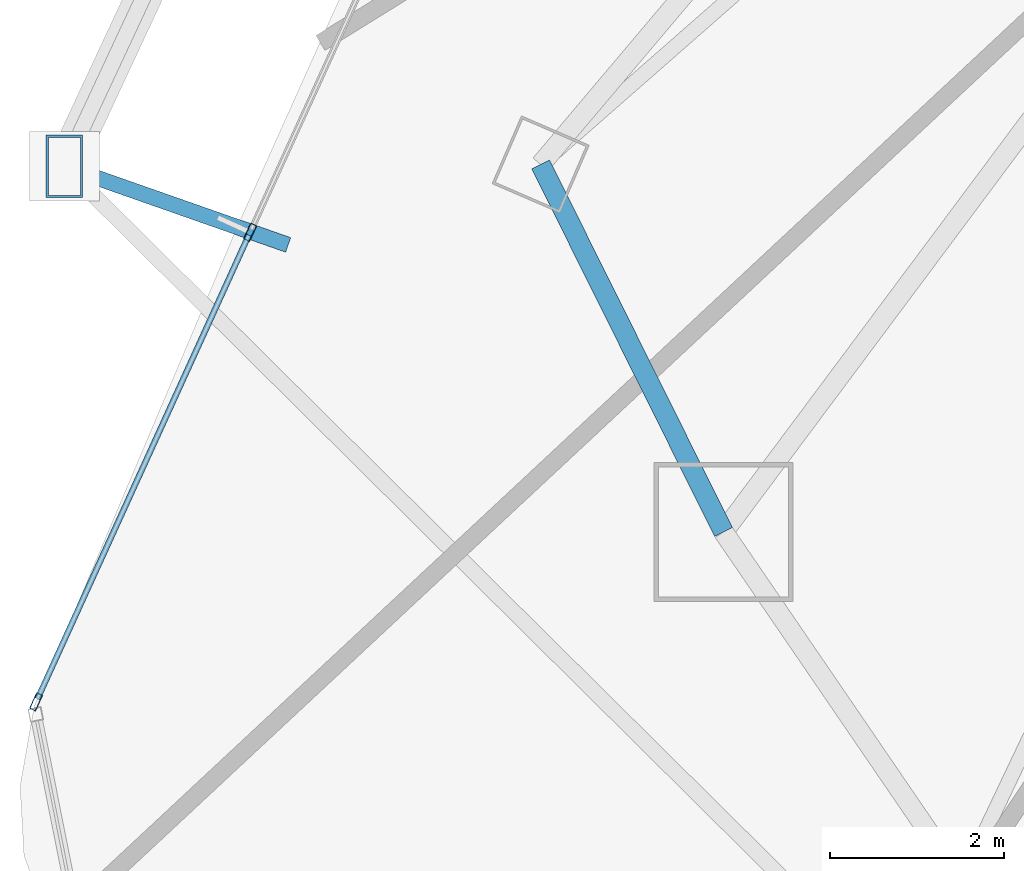
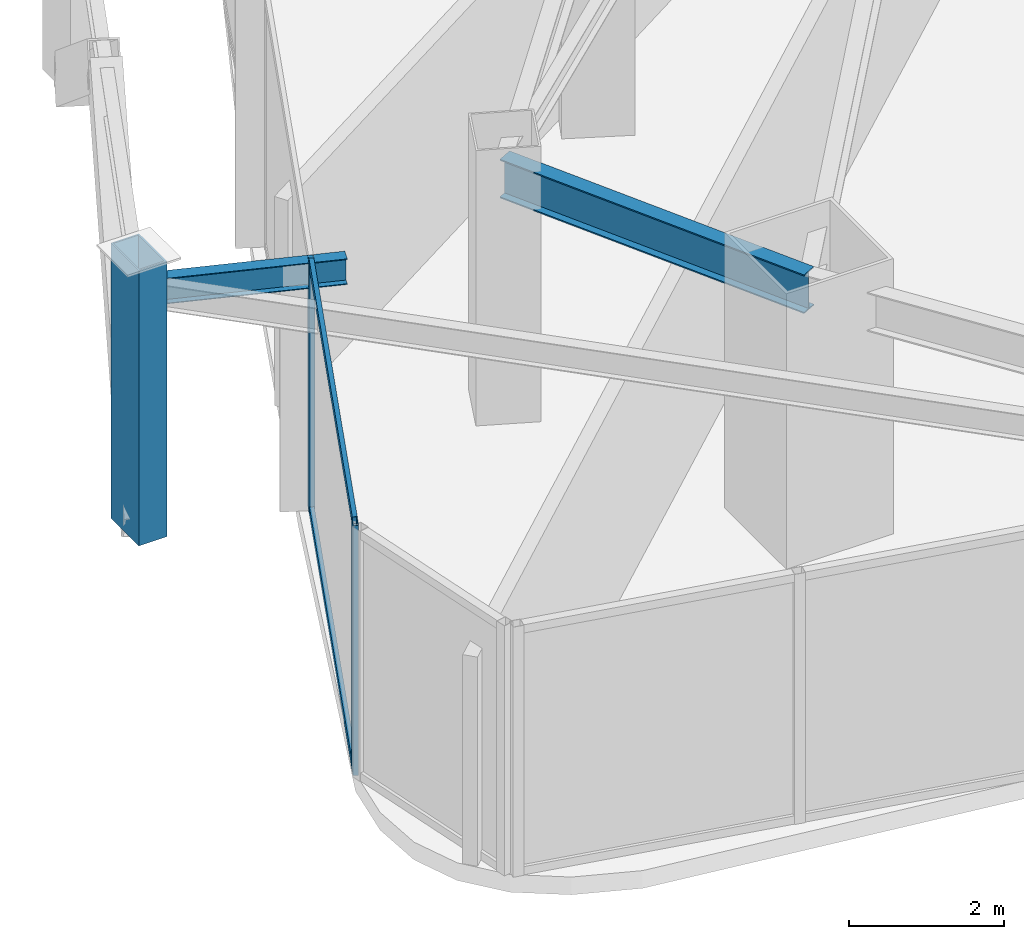
# One storey, part 5 of 33: 5 members, 2 beams, 1 element without a shape of its own.
"""IFC4 building model written with IfcOpenShell, lengths in metres."""

from ifc_helpers import new_model, si_unit, direction, frame, origin, origin_2d, place, context, subcontext, project, spatial, hollow_rectangle, i_section, extrude, material, layer, layer_set, material_profile, profile_set, type_object, element, aggregate, save


model = new_model("IFC4")

# Units and contexts
model_context = context("Model", 3, precision=1e-05, world=origin(), true_north=direction((0.0, 1.0)))
body_context = subcontext(model_context, "Body", "Model", "MODEL_VIEW")
ifc_project = project(units=[si_unit("LENGTHUNIT", "METRE"), si_unit("AREAUNIT", "SQUARE_METRE"), si_unit("VOLUMEUNIT", "CUBIC_METRE"), si_unit("PLANEANGLEUNIT", "RADIAN"), si_unit("MASSUNIT", "GRAM", prefix="KILO")], contexts=[model_context])

# Site, building, storey
site_placement = place(None, origin())
site = spatial("IfcSite", under=ifc_project, at=site_placement, CompositionType="ELEMENT")
building_placement = place(site_placement, origin())
building = spatial("IfcBuilding", under=site, at=building_placement, Name="Orvanel Arch Residences", CompositionType="ELEMENT")
storey_placement = place(building_placement, frame((0.0, 0.0, 97.25)))
storey = spatial("IfcBuildingStorey", under=building, at=storey_placement, Name="L27", CompositionType="ELEMENT", Elevation=97.25)

# Member
ifc_material_1 = material(Name="Structural steel AS/NZS 3678 Grade 350", Category="steel")
ifc_material_profile_1 = material_profile(ifc_material_1, hollow_rectangle(XDim=0.419921875, YDim=0.719970703125, WallThickness=0.02490234375, at=origin_2d()), Name="RHS720x420x25")
ifc_profile_set_1 = profile_set([ifc_material_profile_1], Name="Structural steel AS/NZS 3678 Grade 350")
member_type_1 = type_object("IfcMemberType", Name="CH-720RHS-EXT", PredefinedType="CHORD", material=ifc_profile_set_1)
member_1_placement = place(storey_placement, frame((6.615966796875, 14.556884765625, 0.0), z_axis=(0.0, 0.0, 1.0), x_axis=(1.0, 0.0, 0.0)))
element("IfcMember", 1, at=member_1_placement, inside=storey, type_object=member_type_1, Name="L27 Outer Perimeter Frame Post 04", PredefinedType="CHORD", context=body_context, shape_type="SweptSolid", body=[
    extrude(hollow_rectangle(XDim=0.419921875, YDim=0.719970703125, WallThickness=0.02490234375, at=origin_2d()), origin(), (0.0, 0.0, 1.0), 4.35009765625),
])

# Curtain wall, members
ifc_material_2 = material(Name="Bronze-anodised aluminium AA6063-T6", Category="aluminium")
ifc_layer = layer(ifc_material_2, 0.195068359375)
ifc_layer_set = layer_set([ifc_layer], Name="Bronze-anodised aluminium AA6063-T6")
curtain_wall_type = type_object("IfcCurtainWallType", Name="CW6-COM-SYS", PredefinedType="NOTDEFINED", material=ifc_layer_set)
curtain_wall_placement = place(storey_placement, origin())
curtain_wall = element("IfcCurtainWall", 2, at=curtain_wall_placement, inside=storey, type_object=curtain_wall_type, Name="L27 CW6-COM-SYS Unitised Curtain Wall", PredefinedType="NOTDEFINED")
ifc_material_profile_2 = material_profile(ifc_material_2, hollow_rectangle(XDim=0.074951171875, YDim=0.199951171875, WallThickness=0.0048828125, at=origin_2d()), Name="ALU200x75x5")
ifc_profile_set_2 = profile_set([ifc_material_profile_2], Name="Bronze-anodised aluminium AA6063-T6")
member_type_2 = type_object("IfcMemberType", Name="MUL-200x75", PredefinedType="MULLION", material=ifc_profile_set_2)
member_2_placement = place(storey_placement, frame((8.751953125, 13.79931640625, 0.0), z_axis=(0.0, 0.0, 1.0), x_axis=(0.909928413653, -0.414765333685, 0.0)))
member_2 = element("IfcMember", 3, at=member_2_placement, type_object=member_type_2, Name="CW-S6 mullion 3", PredefinedType="MULLION", context=body_context, shape_type="SweptSolid", body=[
    extrude(hollow_rectangle(XDim=0.074951171875, YDim=0.199951171875, WallThickness=0.0048828125, at=origin_2d()), origin(), (0.0, 0.0, 1.0), 3.949951171875),
])
member_3_placement = place(storey_placement, frame((6.28955078125, 8.397216796875, 0.0), z_axis=(0.0, 0.0, 1.0), x_axis=(0.909928413653, -0.414765333685, 0.0)))
member_3 = element("IfcMember", 4, at=member_3_placement, type_object=member_type_2, Name="CW-S6 mullion 4", PredefinedType="MULLION", context=body_context, shape_type="SweptSolid", body=[
    extrude(hollow_rectangle(XDim=0.074951171875, YDim=0.199951171875, WallThickness=0.0048828125, at=origin_2d()), origin(), (0.0, 0.0, 1.0), 3.949951171875),
])

# Beams
ifc_material_3 = material(Name="Structural steel AS/NZS 3679.1 Grade 300 (300 MPa)", Category="steel")
ifc_material_profile_3 = material_profile(ifc_material_3, i_section(OverallWidth=0.177978515625, OverallDepth=0.406005859375, WebThickness=0.0078125, FlangeThickness=0.0126953125, at=origin_2d()), Name="410UB59.7")
ifc_profile_set_3 = profile_set([ifc_material_profile_3], Name="Structural steel AS/NZS 3679.1 Grade 300 (300 MPa)")
beam_type_1 = type_object("IfcBeamType", Name="OB-410UB-EXT", PredefinedType="SPANDREL", material=ifc_profile_set_3)
beam_1_placement = place(storey_placement, frame((9.18994140625, 13.654052734375, 3.7470703125), z_axis=(-0.943636278271, 0.330984250882, 0.0), x_axis=(-0.330984250882, -0.943636278271, 0.0)))
element("IfcBeam", 5, at=beam_1_placement, inside=storey, type_object=beam_type_1, Name="L27 Outer Frame Radial Tie Beam 04", PredefinedType="SPANDREL", context=body_context, shape_type="SweptSolid", body=[
    extrude(i_section(OverallWidth=0.177978515625, OverallDepth=0.406005859375, WebThickness=0.0078125, FlangeThickness=0.0126953125, at=origin_2d()), origin(), (0.0, 0.0, 1.0), 2.727783203125),
])
ifc_material_profile_4 = material_profile(ifc_material_3, i_section(OverallWidth=0.22900390625, OverallDepth=0.612060546875, WebThickness=0.011962890625, FlangeThickness=0.01953125, at=origin_2d()), Name="610UB125")
ifc_profile_set_4 = profile_set([ifc_material_profile_4], Name="Structural steel AS/NZS 3679.1 Grade 300 (300 MPa)")
beam_type_2 = type_object("IfcBeamType", Name="SP-610UB", PredefinedType="SPANDREL", material=ifc_profile_set_4)
beam_2_placement = place(storey_placement, frame((12.094970703125, 14.580078125, 3.64404296875), z_axis=(0.44543469453, -0.895314432425, 0.0), x_axis=(0.895314432425, 0.44543469453, 0.0)))
element("IfcBeam", 6, at=beam_2_placement, inside=storey, type_object=beam_type_2, Name="L27 Perimeter Spandrel Beam 02", PredefinedType="SPANDREL", context=body_context, shape_type="SweptSolid", body=[
    extrude(i_section(OverallWidth=0.22900390625, OverallDepth=0.612060546875, WebThickness=0.011962890625, FlangeThickness=0.01953125, at=origin_2d()), origin(), (0.0, 0.0, 1.0), 4.723388671875),
])

# Member
ifc_material_profile_5 = material_profile(ifc_material_2, hollow_rectangle(XDim=0.06494140625, YDim=0.14990234375, WallThickness=0.00390625, at=origin_2d()), Name="ALU150x65x4")
ifc_profile_set_5 = profile_set([ifc_material_profile_5], Name="Bronze-anodised aluminium AA6063-T6")
member_type_3 = type_object("IfcMemberType", Name="TRN-150x65", PredefinedType="USERDEFINED", material=ifc_profile_set_5)
member_4_placement = place(storey_placement, frame((8.736328125, 13.76513671875, 0.032470703125), z_axis=(-0.414737825058, -0.909940952186, 0.0), x_axis=(0.909940952186, -0.414737825058, 0.0)))
member_4 = element("IfcMember", 7, at=member_4_placement, type_object=member_type_3, Name="CW-S6 transom 3.1", ObjectType="TRANSOM", PredefinedType="USERDEFINED", context=body_context, shape_type="SweptSolid", body=[
    extrude(hollow_rectangle(XDim=0.06494140625, YDim=0.14990234375, WallThickness=0.00390625, at=origin_2d()), origin(), (0.0, 0.0, 1.0), 5.86181640625),
])

member_5_placement = place(storey_placement, frame((8.736328125, 13.76513671875, 3.91748046875), z_axis=(-0.414737825058, -0.909940952186, 0.0), x_axis=(0.909940952186, -0.414737825058, 0.0)))
member_5 = element("IfcMember", 8, at=member_5_placement, type_object=member_type_3, Name="CW-S6 transom 3.2", ObjectType="TRANSOM", PredefinedType="USERDEFINED", context=body_context, shape_type="SweptSolid", body=[
    extrude(hollow_rectangle(XDim=0.06494140625, YDim=0.14990234375, WallThickness=0.00390625, at=origin_2d()), origin(), (0.0, 0.0, 1.0), 5.86181640625),
])

aggregate(curtain_wall, [member_2, member_3, member_4, member_5])

save(model, "model.ifc")
